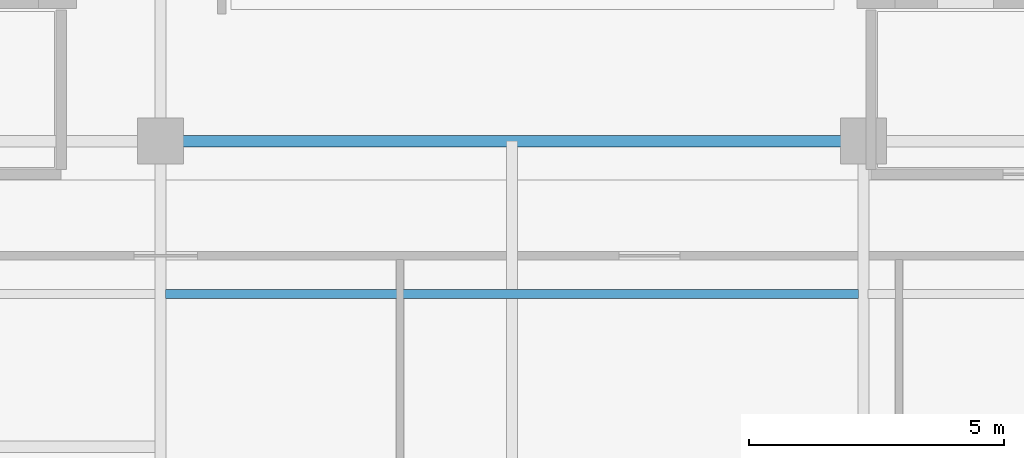
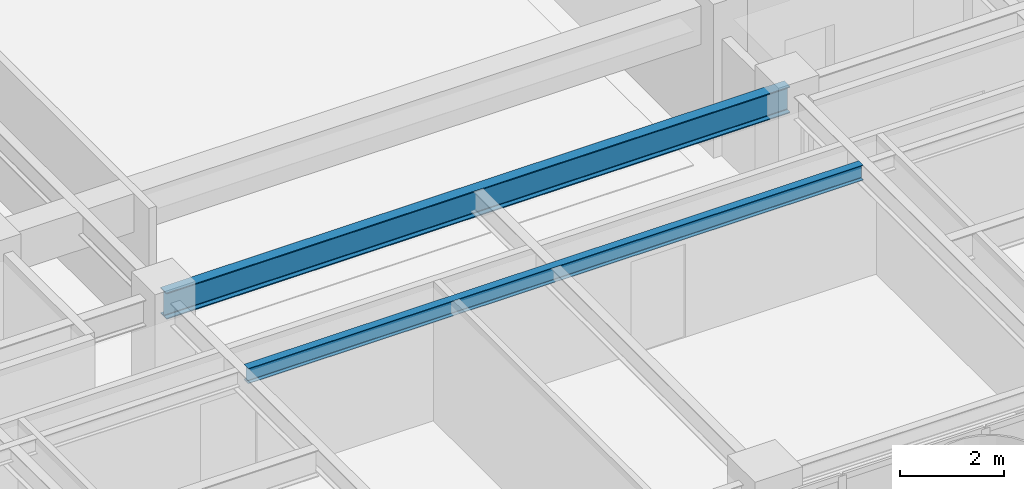
# One storey, part 6 of 28: 2 beams.
"""IFC4 building model written with IfcOpenShell, lengths in metres."""

from ifc_helpers import new_model, si_unit, direction, frame, origin, origin_2d, place, context, subcontext, project, spatial, i_section, extrude, source, transform, mapped, material, material_profile, profile_set, type_object, element, save


model = new_model("IFC4")

# Units and contexts
model_context = context("Model", 3, precision=1e-05, world=origin(), true_north=direction((0.0, 1.0)))
body_context = subcontext(model_context, "Body", "Model", "MODEL_VIEW")
ifc_project = project(units=[si_unit("LENGTHUNIT", "METRE"), si_unit("AREAUNIT", "SQUARE_METRE"), si_unit("VOLUMEUNIT", "CUBIC_METRE"), si_unit("PLANEANGLEUNIT", "RADIAN"), si_unit("MASSUNIT", "GRAM", prefix="KILO")], contexts=[model_context])

# Site, building, storey
site_placement = place(None, origin())
site = spatial("IfcSite", under=ifc_project, at=site_placement, CompositionType="ELEMENT")
building_placement = place(site_placement, origin())
building = spatial("IfcBuilding", under=site, at=building_placement, Name="Khoralis Quay Care Tower", CompositionType="ELEMENT")
storey_placement = place(building_placement, frame((0.0, 0.0, 144.89990234375)))
storey = spatial("IfcBuildingStorey", under=building, at=storey_placement, Name="L38", CompositionType="ELEMENT", Elevation=144.89990234375)

# Beams
ifc_material = material(Name="Steel S355", Category="steel")
ifc_material_profile_1 = material_profile(ifc_material, i_section(OverallWidth=0.22998046875, OverallDepth=0.616943359375, WebThickness=0.01318359375, FlangeThickness=0.022216796875, FilletRadius=0.01806640625, at=origin_2d()), Name="Steel S355")
ifc_profile_set_1 = profile_set([ifc_material_profile_1], Name="Steel S355")
beam_type_1 = type_object("IfcBeamType", Name="BM-W610X140", PredefinedType="BEAM", material=ifc_profile_set_1)
shared_shape_1 = source(origin(), body_context, "Body", "SweptSolid", [
    extrude(i_section(OverallWidth=0.22998046875, OverallDepth=0.616943359375, WebThickness=0.01318359375, FlangeThickness=0.022216796875, FilletRadius=0.01806640625, at=origin_2d()), origin(), (0.0, 0.0, 1.0), 13.7998046875),
])
beam_1_placement = place(storey_placement, frame((17.10009765625, 12.0, 2.9716796875), z_axis=(1.0, 0.0, 0.0), x_axis=(0.0, 1.0, 0.0)))
element("IfcBeam", 1, at=beam_1_placement, inside=storey, type_object=beam_type_1, Name="BM-TGCC-L38-120", PredefinedType="BEAM", context=body_context, shape_type="MappedRepresentation", body=[
    mapped(shared_shape_1, transform((0.0, 0.0, 0.0), scale=1.0)),
])
ifc_material_profile_2 = material_profile(ifc_material, i_section(OverallWidth=0.1708984375, OverallDepth=0.35498046875, WebThickness=0.007080078125, FlangeThickness=0.01171875, FilletRadius=0.012939453125, at=origin_2d()), Name="Steel S355")
ifc_profile_set_2 = profile_set([ifc_material_profile_2], Name="Steel S355")
beam_type_2 = type_object("IfcBeamType", Name="BM-W360X51", PredefinedType="JOIST", material=ifc_profile_set_2)
shared_shape_2 = source(origin(), body_context, "Body", "SweptSolid", [
    extrude(i_section(OverallWidth=0.1708984375, OverallDepth=0.35498046875, WebThickness=0.007080078125, FlangeThickness=0.01171875, FilletRadius=0.012939453125, at=origin_2d()), origin(), (0.0, 0.0, 1.0), 13.61181640625),
])
beam_2_placement = place(storey_placement, frame((17.194091796875, 9.0, 3.1025390625), z_axis=(1.0, 0.0, 0.0), x_axis=(0.0, 1.0, 0.0)))
element("IfcBeam", 2, at=beam_2_placement, inside=storey, type_object=beam_type_2, Name="BM-TJS-L38-27", PredefinedType="JOIST", context=body_context, shape_type="MappedRepresentation", body=[
    mapped(shared_shape_2, transform((0.0, 0.0, 0.0), scale=1.0)),
])

save(model, "model.ifc")
